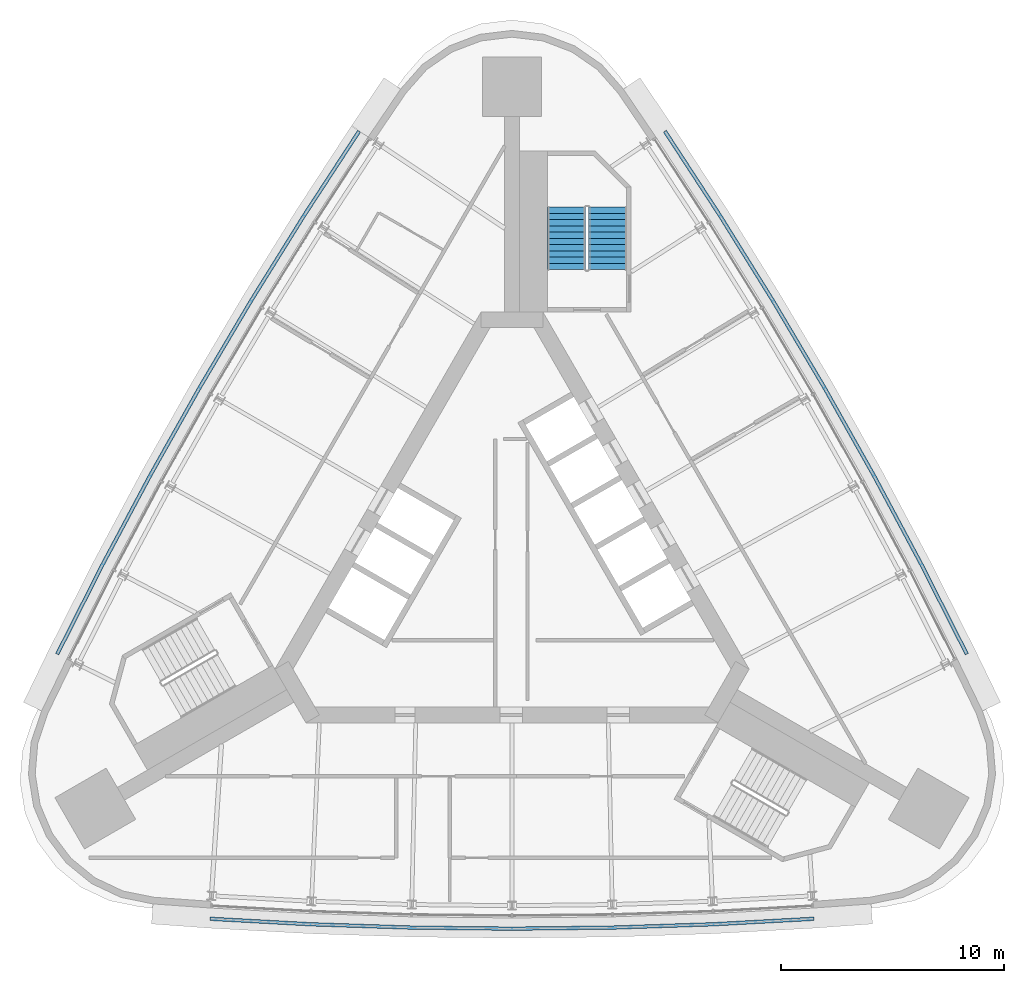
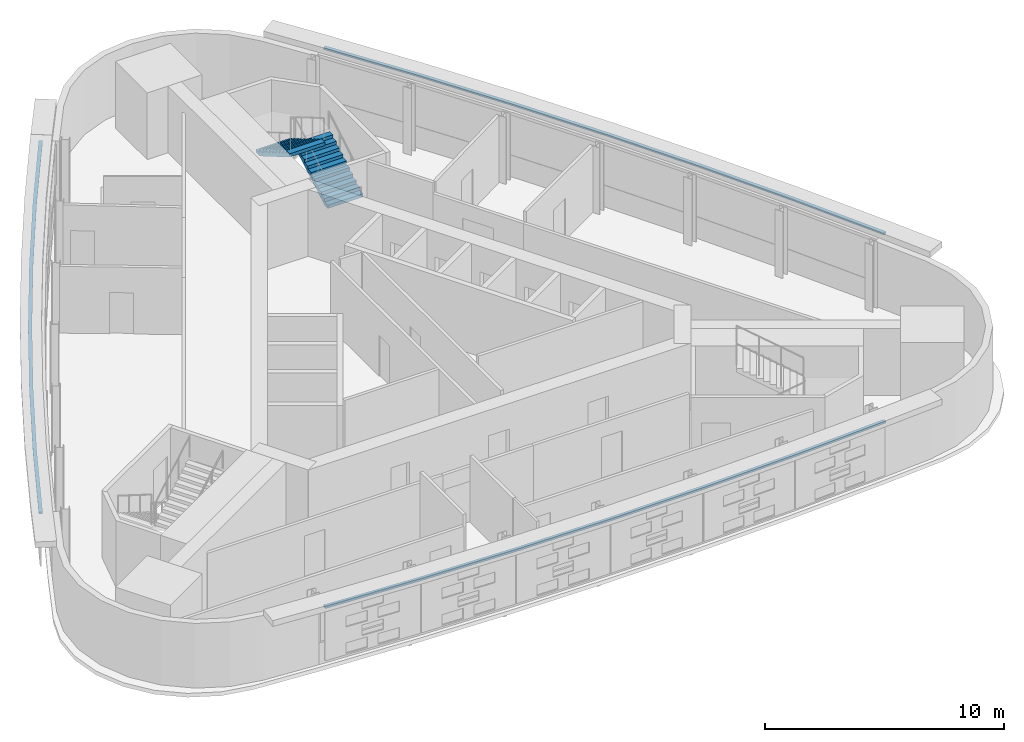
# One storey, part 9 of 11: 3 discrete accessories, 2 stair flights, 1 element without a shape of its own.
"""IFC4 building model written with IfcOpenShell, lengths in metres."""

from ifc_helpers import new_model, si_unit, direction, frame, origin, place, context, subcontext, project, spatial, polyline, outline, extrude, material, type_object, element, aggregate, save


model = new_model("IFC4")

# Units and contexts
model_context = context("Model", 3, precision=1e-05, world=origin(), true_north=direction((0.0, 1.0)))
body_context = subcontext(model_context, "Body", "Model", "MODEL_VIEW")
ifc_project = project(units=[si_unit("LENGTHUNIT", "METRE"), si_unit("AREAUNIT", "SQUARE_METRE"), si_unit("VOLUMEUNIT", "CUBIC_METRE"), si_unit("PLANEANGLEUNIT", "RADIAN"), si_unit("MASSUNIT", "GRAM", prefix="KILO")], contexts=[model_context])

# Site, building, storey
site_placement = place(None, origin())
site = spatial("IfcSite", under=ifc_project, at=site_placement, CompositionType="ELEMENT")
building_placement = place(site_placement, origin())
building = spatial("IfcBuilding", under=site, at=building_placement, Name="Noor Cloister Tower", CompositionType="ELEMENT")
storey_placement = place(building_placement, frame((0.0, 0.0, 203.10009765625)))
storey = spatial("IfcBuildingStorey", under=building, at=storey_placement, Name="L52", CompositionType="ELEMENT", Elevation=203.10009765625)

# Stair, stair flights
ifc_material_1 = material(Name="Concrete C40/50", Category="concrete")
stair_type = type_object("IfcStairType", Name="Exit stair 22 risers", PredefinedType="HALF_TURN_STAIR", material=ifc_material_1)
stair_placement = place(storey_placement, origin())
stair = element("IfcStair", 1, at=stair_placement, inside=storey, type_object=stair_type, Name="Exit stair ST1 L52", PredefinedType="HALF_TURN_STAIR")
ifc_material_2 = material(Name="Concrete C40/50", Category="concrete")
stair_flight_type = type_object("IfcStairFlightType", Name="Exit stair flight", PredefinedType="STRAIGHT", material=ifc_material_2)
stair_flight_1_placement = place(storey_placement, frame((4.28564453125, 13.3564453125, 0.0), z_axis=(0.0, 0.0, 1.0), x_axis=(0.0, 1.0, 0.0)))
stair_flight_1 = element("IfcStairFlight", 2, at=stair_flight_1_placement, type_object=stair_flight_type, Name="ST1 flight 1", NumberOfRisers=11, NumberOfTreads=10, PredefinedType="STRAIGHT", RiserHeight=0.163636364, TreadLength=0.28, context=body_context, shape_type="SweptSolid", body=[
    extrude(outline(polyline([(0.0, 0.0), (0.0, 0.16357421875), (0.280029296875, 0.16357421875), (0.280029296875, 0.327392578125), (0.56005859375, 0.327392578125), (0.56005859375, 0.490966796875), (0.840087890625, 0.490966796875), (0.840087890625, 0.654541015625), (1.1201171875, 0.654541015625), (1.1201171875, 0.818115234375), (1.39990234375, 0.818115234375), (1.39990234375, 0.98193359375), (1.679931640625, 0.98193359375), (1.679931640625, 1.1455078125), (1.9599609375, 1.1455078125), (1.9599609375, 1.30908203125), (2.239990234375, 1.30908203125), (2.239990234375, 1.47265625), (2.52001953125, 1.47265625), (2.52001953125, 1.636474609375), (2.800048828125, 1.636474609375), (2.800048828125, 1.800048828125), (2.800048828125, 1.462646484375), (0.297119140625, 0.0), (0.0, 0.0)])), frame((0.0, 0.85009765625, 0.0), z_axis=(0.0, -1.0, 0.0), x_axis=(1.0, 0.0, 0.0)), (0.0, 0.0, 1.0), 1.699951171875),
])
stair_flight_2_placement = place(storey_placement, frame((2.435546875, 16.156494140625, 1.7998046875), z_axis=(0.0, 0.0, 1.0), x_axis=(0.0, -1.0, 0.0)))
stair_flight_2 = element("IfcStairFlight", 3, at=stair_flight_2_placement, type_object=stair_flight_type, Name="ST1 flight 2", NumberOfRisers=11, NumberOfTreads=10, PredefinedType="STRAIGHT", RiserHeight=0.163636364, TreadLength=0.28, context=body_context, shape_type="SweptSolid", body=[
    extrude(outline(polyline([(0.0, 0.0), (0.0, 0.16357421875), (0.280029296875, 0.16357421875), (0.280029296875, 0.327392578125), (0.56005859375, 0.327392578125), (0.56005859375, 0.490966796875), (0.840087890625, 0.490966796875), (0.840087890625, 0.654541015625), (1.1201171875, 0.654541015625), (1.1201171875, 0.818115234375), (1.39990234375, 0.818115234375), (1.39990234375, 0.98193359375), (1.679931640625, 0.98193359375), (1.679931640625, 1.1455078125), (1.9599609375, 1.1455078125), (1.9599609375, 1.30908203125), (2.239990234375, 1.30908203125), (2.239990234375, 1.47265625), (2.52001953125, 1.47265625), (2.52001953125, 1.636474609375), (2.800048828125, 1.636474609375), (2.800048828125, 1.800048828125), (2.800048828125, 1.462646484375), (0.297119140625, 0.0), (0.0, 0.0)])), frame((0.0, 0.85009765625, 0.0), z_axis=(0.0, -1.0, 0.0), x_axis=(1.0, 0.0, 0.0)), (0.0, 0.0, 1.0), 1.699951171875),
])
aggregate(stair, [stair_flight_1, stair_flight_2])

# Discrete accessories
ifc_material_3 = material(Name="Stainless steel grade 316", Category="steel")
discrete_accessory_type = type_object("IfcDiscreteAccessoryType", Name="Stainless hanger rail", PredefinedType="BRACKET", material=ifc_material_3)
discrete_accessory_1_placement = place(storey_placement, frame((0.0, 0.0, 3.199951171875)))
element("IfcDiscreteAccessory", 4, at=discrete_accessory_1_placement, inside=storey, type_object=discrete_accessory_type, Name="Hanger rail L52", PredefinedType="BRACKET", context=body_context, shape_type="SweptSolid", body=[
    extrude(outline(polyline([(-6.907958984375, 19.600830078125), (-9.37109375, 15.82763671875), (-11.754150390625, 11.99609375), (-14.052978515625, 8.113525390625), (-16.26611328125, 4.181396484375), (-18.392578125, 0.20166015625), (-20.4287109375, -3.818115234375), (-20.2861328125, -3.890380859375), (-18.250732421875, 0.1279296875), (-16.125732421875, 4.1044921875), (-13.914306640625, 8.033447265625), (-11.617431640625, 11.9130859375), (-9.236083984375, 15.74169921875), (-6.77392578125, 19.513427734375), (-6.907958984375, 19.600830078125)])), origin(), (0.0, 0.0, 1.0), 0.099853515625),
])
discrete_accessory_2_placement = place(storey_placement, frame((0.0, 0.0, 3.199951171875)))
element("IfcDiscreteAccessory", 5, at=discrete_accessory_2_placement, inside=storey, type_object=discrete_accessory_type, Name="Hanger rail L52", PredefinedType="BRACKET", context=body_context, shape_type="SweptSolid", body=[
    extrude(outline(polyline([(-13.52099609375, -15.782958984375), (-9.021728515625, -16.029296875), (-4.511962890625, -16.177490234375), (0.0, -16.226806640625), (4.511962890625, -16.177490234375), (9.021728515625, -16.029296875), (13.52099609375, -15.782958984375), (13.51220703125, -15.623046875), (9.0146484375, -15.869384765625), (4.50830078125, -16.017578125), (0.0, -16.06689453125), (-4.50830078125, -16.017578125), (-9.0146484375, -15.869384765625), (-13.51220703125, -15.623046875), (-13.52099609375, -15.782958984375)])), origin(), (0.0, 0.0, 1.0), 0.099853515625),
])
discrete_accessory_3_placement = place(storey_placement, frame((0.0, 0.0, 3.199951171875)))
element("IfcDiscreteAccessory", 6, at=discrete_accessory_3_placement, inside=storey, type_object=discrete_accessory_type, Name="Hanger rail L52", PredefinedType="BRACKET", context=body_context, shape_type="SweptSolid", body=[
    extrude(outline(polyline([(20.4287109375, -3.818115234375), (18.392578125, 0.20166015625), (16.26611328125, 4.181396484375), (14.052978515625, 8.113525390625), (11.754150390625, 11.99609375), (9.37109375, 15.82763671875), (6.907958984375, 19.600830078125), (6.77392578125, 19.513427734375), (9.236083984375, 15.74169921875), (11.617431640625, 11.9130859375), (13.914306640625, 8.033447265625), (16.125732421875, 4.1044921875), (18.250732421875, 0.1279296875), (20.2861328125, -3.890380859375), (20.4287109375, -3.818115234375)])), origin(), (0.0, 0.0, 1.0), 0.099853515625),
])

save(model, "model.ifc")
